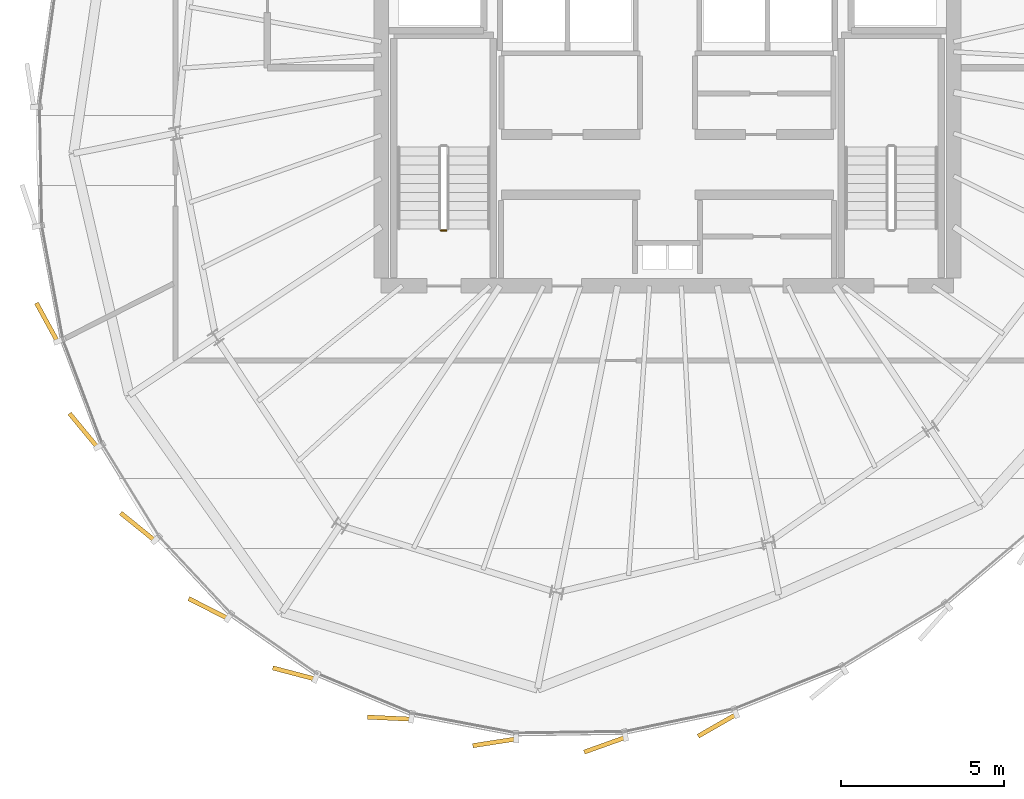
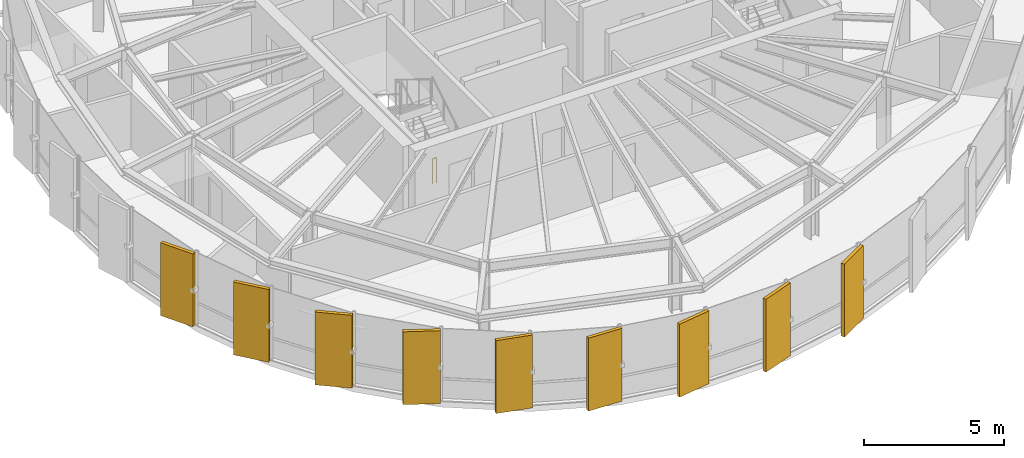
# One storey, part 29 of 32: 9 coverings, 1 railing.
"""IFC4 building model written with IfcOpenShell, lengths in metres."""

from ifc_helpers import new_model, si_unit, direction, frame, origin, origin_2d, place, context, subcontext, project, spatial, rectangle, circle, extrude, source, transform, mapped, material, layer, layer_set, type_object, element, save


model = new_model("IFC4")

# Units and contexts
model_context = context("Model", 3, precision=1e-05, world=origin(), true_north=direction((0.0, 1.0)))
body_context = subcontext(model_context, "Body", "Model", "MODEL_VIEW")
ifc_project = project(units=[si_unit("LENGTHUNIT", "METRE"), si_unit("AREAUNIT", "SQUARE_METRE"), si_unit("VOLUMEUNIT", "CUBIC_METRE"), si_unit("PLANEANGLEUNIT", "RADIAN"), si_unit("MASSUNIT", "GRAM", prefix="KILO"), si_unit("THERMODYNAMICTEMPERATUREUNIT", "KELVIN")], contexts=[model_context])

# Site, building, storey
site_placement = place(None, origin())
site = spatial("IfcSite", under=ifc_project, at=site_placement, CompositionType="ELEMENT")
building_placement = place(site_placement, origin())
building = spatial("IfcBuilding", under=site, at=building_placement, Name="Kethvar Cultural Tower", CompositionType="ELEMENT")
storey_placement = place(building_placement, frame((0.0, 0.0, 280.14990234375)))
storey = spatial("IfcBuildingStorey", under=building, at=storey_placement, Name="L74", CompositionType="ELEMENT", Elevation=280.14990234375)

# Railing
ifc_material_1 = material(Name="Steel S355J2", Category="steel")
railing_type = type_object("IfcRailingType", Name="RL-STAIR-GUARD", PredefinedType="BALUSTRADE", material=ifc_material_1)
railing_placement = place(storey_placement, frame((40.0, 21.800048828125, 0.0)))
element("IfcRailing", 1, at=railing_placement, inside=storey, type_object=railing_type, Name="L74 ST-01 stair guard 4", PredefinedType="BALUSTRADE", context=body_context, shape_type="SweptSolid", body=[
    extrude(circle(Radius=0.02392578125, at=origin_2d()), frame((0.0, 0.0, 1.09619140625), z_axis=(-1.0, 0.0, 0.0), x_axis=(0.0, -1.0, 0.0)), (0.0, 0.0, 1.0), 0.159912109375),
    extrude(circle(Radius=0.02099609375, at=origin_2d()), origin(), (0.0, 0.0, 1.0), 1.072021484375),
    extrude(circle(Radius=0.02099609375, at=origin_2d()), frame((-0.159912109375, 0.0, 0.0)), (0.0, 0.0, 1.0), 1.072021484375),
])

# Coverings
ifc_material_2 = material(Name="Extruded Architectural Terracotta", Category="masonry")
ifc_layer = layer(ifc_material_2, 0.135009765625, Name="Extruded Architectural Terracotta", Category="masonry")
ifc_layer_set = layer_set([ifc_layer], Name="Extruded Architectural Terracotta (135 mm)")
covering_type = type_object("IfcCoveringType", Name="Terracotta Facade Fin FIN-03", PredefinedType="CLADDING", material=ifc_layer_set)
shared_shape = source(origin(), body_context, "Body", "SweptSolid", [
    extrude(rectangle(XDim=1.35009765625, YDim=0.135009765625, at=origin_2d()), origin(), (0.0, 0.0, 1.0), 3.169921875),
])
for number, where, z_axis, x_axis, name in (
    (2, (27.722412109375, 18.978759765625, 0.02001953125), (0.0, 0.0, 1.0), (-0.480223497443, 0.877146163706, 0.0), "L74 Vertical Terracotta Fin 3.3"),
    (3, (28.846435546875, 15.65576171875, 0.02001953125), (0.0, 0.0, 1.0), (-0.6370204626, 0.770846891561, 0.0), "L74 Vertical Terracotta Fin 3.4"),
    (4, (30.514404296875, 12.6923828125, 0.02001953125), (0.0, 0.0, 1.0), (-0.778243148526, 0.627963057649, 0.0), "L74 Vertical Terracotta Fin 3.5"),
    (5, (32.68115234375, 10.17919921875, 0.02001953125), (0.0, 0.0, 1.0), (-0.891876480775, 0.45227905439, 0.0), "L74 Vertical Terracotta Fin 3.6"),
    (6, (35.318115234375, 8.18212890625, 0.02001953125), (0.0, 0.0, 1.0), (-0.967223448927, 0.253926760789, 0.0), "L74 Vertical Terracotta Fin 4.1"),
    (7, (38.2490234375, 6.80908203125, 0.02001953125), (0.0, 0.0, 1.0), (-0.998889874962, 0.04710645071, 0.0), "L74 Vertical Terracotta Fin 4.2"),
    (8, (41.480224609375, 6.066162109375, 0.02001953125), (0.0, 0.0, 1.0), (-0.988148142789, -0.15350325046, 0.0), "L74 Vertical Terracotta Fin 4.3"),
    (9, (44.876220703125, 5.992431640625, 0.02001953125), (0.0, 0.0, 1.0), (-0.941470544812, -0.337095258423, 0.0), "L74 Vertical Terracotta Fin 4.4"),
    (10, (48.328857421875, 6.590087890625, 0.02001953125), (0.0, 0.0, 1.0), (-0.867244547743, -0.497882410223, 0.0), "L74 Vertical Terracotta Fin 4.5"),
):
    element("IfcCovering", number, at=place(storey_placement, frame(where, z_axis=z_axis, x_axis=x_axis)), inside=storey, type_object=covering_type, Name=name, PredefinedType="CLADDING", context=body_context, shape_type="MappedRepresentation", body=[
        mapped(shared_shape, transform((0.0, 0.0, 0.0), scale=1.0)),
    ])

save(model, "model.ifc")
